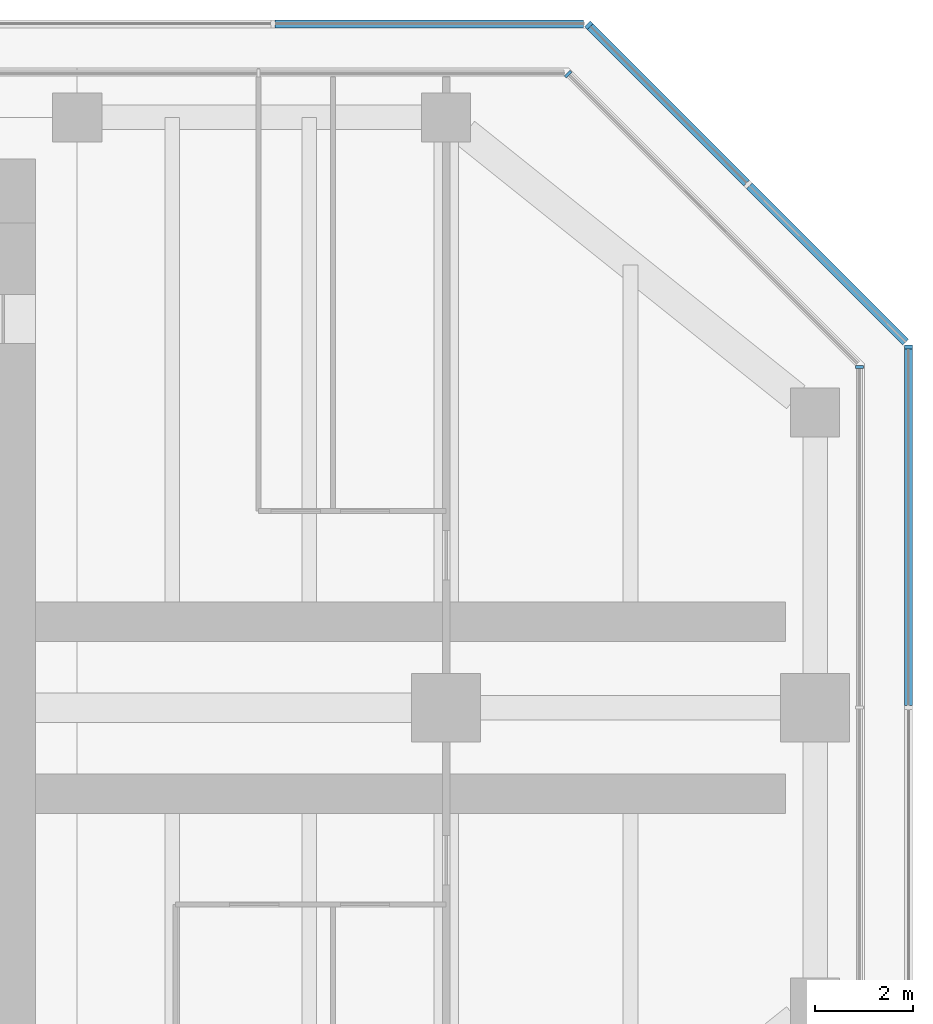
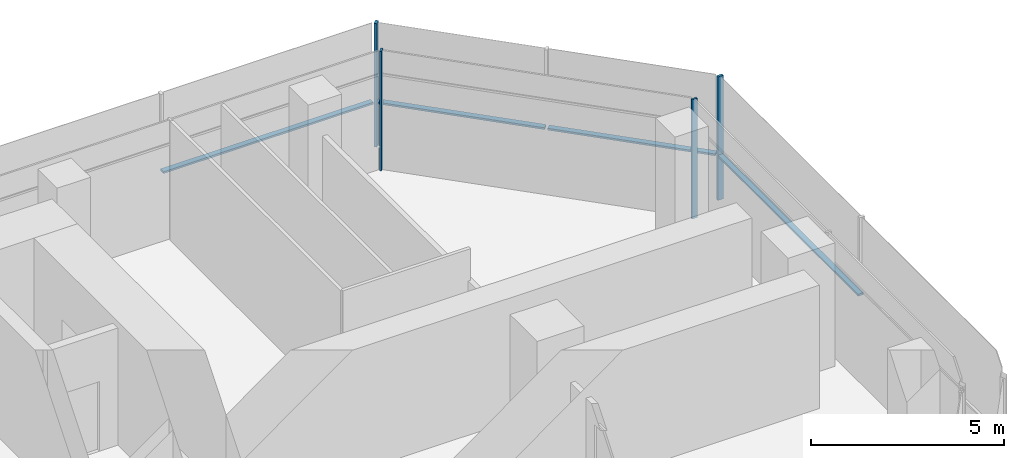
# One storey, part 8 of 16: 8 members, 5 elements without a shape of their own.
"""IFC4 building model written with IfcOpenShell, lengths in metres."""

from ifc_helpers import new_model, si_unit, direction, frame, origin, origin_2d, place, context, subcontext, project, spatial, rectangle, extrude, material, material_profile, profile_set, type_object, element, aggregate, save


model = new_model("IFC4")

# Units and contexts
model_context = context("Model", 3, precision=1e-05, world=origin(), true_north=direction((0.0, 1.0)))
body_context = subcontext(model_context, "Body", "Model", "MODEL_VIEW")
ifc_project = project(units=[si_unit("LENGTHUNIT", "METRE"), si_unit("AREAUNIT", "SQUARE_METRE"), si_unit("VOLUMEUNIT", "CUBIC_METRE"), si_unit("PLANEANGLEUNIT", "RADIAN"), si_unit("MASSUNIT", "GRAM", prefix="KILO")], contexts=[model_context])

# Site, building, storey
site_placement = place(None, origin())
site = spatial("IfcSite", under=ifc_project, at=site_placement, CompositionType="ELEMENT")
building_placement = place(site_placement, origin())
building = spatial("IfcBuilding", under=site, at=building_placement, Name="Mizan Broadcast Tower", CompositionType="ELEMENT")
storey_placement = place(building_placement, frame((0.0, 0.0, 290.699951171875)))
storey = spatial("IfcBuildingStorey", under=building, at=storey_placement, Name="L69", CompositionType="ELEMENT", Elevation=290.699951171875)

# Curtain wall, member
ifc_material_1 = material(Name="Aluminium framed glazing", Category="aluminium")
curtain_wall_type_1 = type_object("IfcCurtainWallType", Name="INNER SKIN TOP ZONE", PredefinedType="USERDEFINED", material=ifc_material_1)
curtain_wall_1_placement = place(storey_placement, origin())
curtain_wall_1 = element("IfcCurtainWall", 1, at=curtain_wall_1_placement, inside=storey, type_object=curtain_wall_type_1, Name="Inner skin top zone L69 E end", ObjectType="INNER SKIN TOP ZONE", PredefinedType="USERDEFINED")
ifc_material_2 = material(Name="Aluminium, pale anodised", Category="aluminium")
ifc_material_profile_1 = material_profile(ifc_material_2, rectangle(XDim=0.159912109375, YDim=0.06005859375, at=origin_2d()), Name="MULLION 160x60")
ifc_profile_set_1 = profile_set([ifc_material_profile_1], Name="Aluminium, pale anodised")
member_type_1 = type_object("IfcMemberType", Name="INNER SKIN MULLION 60x160", PredefinedType="MULLION", material=ifc_profile_set_1)
member_1_placement = place(storey_placement, frame((27.89990234375, 6.928466796875, 0.0), z_axis=(0.0, 0.0, 1.0), x_axis=(-1.0, 0.0, 0.0)))
member_1 = element("IfcMember", 2, at=member_1_placement, type_object=member_type_1, Name="Inner skin top zone L69 E end mullion 3", PredefinedType="MULLION", context=body_context, shape_type="SweptSolid", body=[
    extrude(rectangle(XDim=0.159912109375, YDim=0.06005859375, at=origin_2d()), origin(), (0.0, 0.0, 1.0), 3.77001953125),
])
aggregate(curtain_wall_1, [member_1])

curtain_wall_2_placement = place(storey_placement, origin())
curtain_wall_2 = element("IfcCurtainWall", 3, at=curtain_wall_2_placement, inside=storey, type_object=curtain_wall_type_1, Name="Inner skin top zone L69 E chamfer", ObjectType="INNER SKIN TOP ZONE", PredefinedType="USERDEFINED")
member_2_placement = place(storey_placement, frame((21.979736328125, 12.87890625, 0.0), z_axis=(0.0, 0.0, 1.0), x_axis=(-0.707106781187, -0.707106781187, 0.0)))
member_2 = element("IfcMember", 4, at=member_2_placement, type_object=member_type_1, Name="Inner skin top zone L69 E chamfer mullion 2", PredefinedType="MULLION", context=body_context, shape_type="SweptSolid", body=[
    extrude(rectangle(XDim=0.159912109375, YDim=0.06005859375, at=origin_2d()), origin(), (0.0, 0.0, 1.0), 3.77001953125),
])
aggregate(curtain_wall_2, [member_2])

ifc_material_3 = material(Name="Aluminium framed glazing", Category="aluminium")
curtain_wall_type_2 = type_object("IfcCurtainWallType", Name="OUTER SKIN", PredefinedType="USERDEFINED", material=ifc_material_3)
curtain_wall_3_placement = place(storey_placement, origin())
curtain_wall_3 = element("IfcCurtainWall", 5, at=curtain_wall_3_placement, inside=storey, type_object=curtain_wall_type_2, Name="Outer skin L69 E end", ObjectType="OUTER SKIN", PredefinedType="USERDEFINED")
ifc_material_4 = material(Name="Aluminium, pale anodised", Category="aluminium")
ifc_material_profile_2 = material_profile(ifc_material_4, rectangle(XDim=0.159912109375, YDim=0.080078125, at=origin_2d()), Name="MULLION 160x80")
ifc_profile_set_2 = profile_set([ifc_material_profile_2], Name="Aluminium, pale anodised")
member_type_2 = type_object("IfcMemberType", Name="OUTER SKIN MULLION 80x160", PredefinedType="MULLION", material=ifc_profile_set_2)
member_3_placement = place(storey_placement, frame((28.89990234375, 7.332763671875, 0.0), z_axis=(0.0, 0.0, 1.0), x_axis=(-1.0, 0.0, 0.0)))
member_3 = element("IfcMember", 6, at=member_3_placement, type_object=member_type_2, Name="Outer skin L69 E end mullion 3", PredefinedType="MULLION", context=body_context, shape_type="SweptSolid", body=[
    extrude(rectangle(XDim=0.159912109375, YDim=0.080078125, at=origin_2d()), origin(), (0.0, 0.0, 1.0), 3.900146484375),
])

curtain_wall_4_placement = place(storey_placement, origin())
curtain_wall_4 = element("IfcCurtainWall", 7, at=curtain_wall_4_placement, inside=storey, type_object=curtain_wall_type_2, Name="Outer skin L69 E chamfer", ObjectType="OUTER SKIN", PredefinedType="USERDEFINED")
member_4_placement = place(storey_placement, frame((22.401123046875, 13.871826171875, 0.0), z_axis=(0.0, 0.0, 1.0), x_axis=(-0.707106781187, -0.707106781187, 0.0)))
member_4 = element("IfcMember", 8, at=member_4_placement, type_object=member_type_2, Name="Outer skin L69 E chamfer mullion 3", PredefinedType="MULLION", context=body_context, shape_type="SweptSolid", body=[
    extrude(rectangle(XDim=0.159912109375, YDim=0.080078125, at=origin_2d()), origin(), (0.0, 0.0, 1.0), 3.900146484375),
])

# Member
ifc_material_5 = material(Name="Aluminium, pale anodised", Category="aluminium")
ifc_material_profile_3 = material_profile(ifc_material_5, rectangle(XDim=0.159912109375, YDim=0.06005859375, at=origin_2d()), Name="TRANSOM 160x60")
ifc_profile_set_3 = profile_set([ifc_material_profile_3], Name="Aluminium, pale anodised")
member_type_3 = type_object("IfcMemberType", Name="OUTER SKIN TRANSOM 60x160", PredefinedType="USERDEFINED", material=ifc_profile_set_3)
member_5_placement = place(storey_placement, frame((28.89990234375, 0.0400390625, 1.400146484375), z_axis=(0.0, 1.0, 0.0), x_axis=(-1.0, 0.0, 0.0)))
member_5 = element("IfcMember", 9, at=member_5_placement, type_object=member_type_3, Name="Outer skin L69 E end transom 2.1", ObjectType="TRANSOM", PredefinedType="USERDEFINED", context=body_context, shape_type="SweptSolid", body=[
    extrude(rectangle(XDim=0.159912109375, YDim=0.06005859375, at=origin_2d()), origin(), (0.0, 0.0, 1.0), 7.252685546875),
])

aggregate(curtain_wall_3, [member_3, member_5])

member_6_placement = place(storey_placement, frame((28.843505859375, 7.429443359375, 1.400146484375), z_axis=(-0.707106781187, 0.707106781187, 0.0), x_axis=(-0.707106781187, -0.707106781187, 0.0)))
member_6 = element("IfcMember", 10, at=member_6_placement, type_object=member_type_3, Name="Outer skin L69 E chamfer transom 1.1", ObjectType="TRANSOM", PredefinedType="USERDEFINED", context=body_context, shape_type="SweptSolid", body=[
    extrude(rectangle(XDim=0.159912109375, YDim=0.06005859375, at=origin_2d()), origin(), (0.0, 0.0, 1.0), 4.495361328125),
])

member_7_placement = place(storey_placement, frame((25.608154296875, 10.664794921875, 1.400146484375), z_axis=(-0.707106781187, 0.707106781187, 0.0), x_axis=(-0.707106781187, -0.707106781187, 0.0)))
member_7 = element("IfcMember", 11, at=member_7_placement, type_object=member_type_3, Name="Outer skin L69 E chamfer transom 2.1", ObjectType="TRANSOM", PredefinedType="USERDEFINED", context=body_context, shape_type="SweptSolid", body=[
    extrude(rectangle(XDim=0.159912109375, YDim=0.06005859375, at=origin_2d()), origin(), (0.0, 0.0, 1.0), 4.495361328125),
])

aggregate(curtain_wall_4, [member_4, member_6, member_7])

# Curtain wall, member
curtain_wall_5_placement = place(storey_placement, origin())
curtain_wall_5 = element("IfcCurtainWall", 12, at=curtain_wall_5_placement, inside=storey, type_object=curtain_wall_type_2, Name="Outer skin L69 N end", ObjectType="OUTER SKIN", PredefinedType="USERDEFINED")
member_8_placement = place(storey_placement, frame((22.292724609375, 13.89990234375, 1.400146484375), z_axis=(-1.0, 0.0, 0.0), x_axis=(0.0, -1.0, 0.0)))
member_8 = element("IfcMember", 13, at=member_8_placement, type_object=member_type_3, Name="Outer skin L69 N end transom 1.1", ObjectType="TRANSOM", PredefinedType="USERDEFINED", context=body_context, shape_type="SweptSolid", body=[
    extrude(rectangle(XDim=0.159912109375, YDim=0.06005859375, at=origin_2d()), origin(), (0.0, 0.0, 1.0), 6.272216796875),
])
aggregate(curtain_wall_5, [member_8])

save(model, "model.ifc")
